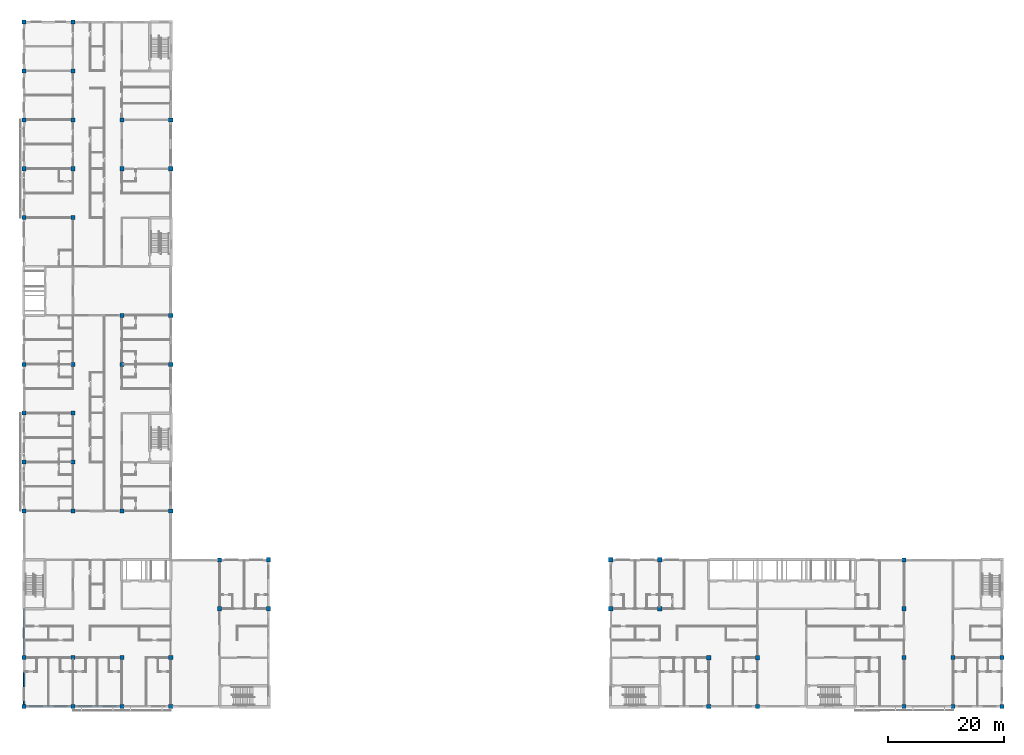
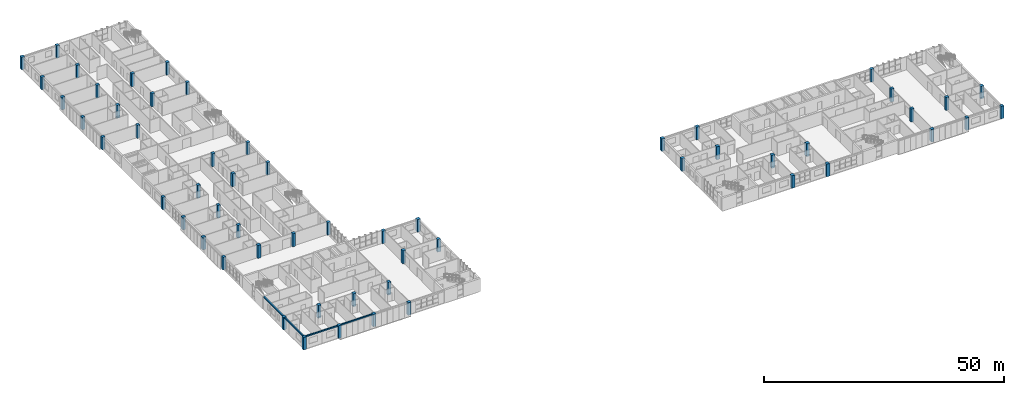
# One storey, part 1 of 48: 56 columns, 4 beams.
"""IFC4 building model written with IfcOpenShell, lengths in metres."""

from ifc_helpers import new_model, si_unit, direction, frame, origin, origin_2d, place, context, subcontext, project, spatial, rectangle, extrude, material, material_profile, profile_set, type_object, element, save


model = new_model("IFC4")

# Units and contexts
model_context = context("Model", 3, precision=1e-05, world=origin(), true_north=direction((0.0, 1.0)))
body_context = subcontext(model_context, "Body", "Model", "MODEL_VIEW")
ifc_project = project(units=[si_unit("LENGTHUNIT", "METRE"), si_unit("AREAUNIT", "SQUARE_METRE"), si_unit("VOLUMEUNIT", "CUBIC_METRE"), si_unit("PLANEANGLEUNIT", "RADIAN"), si_unit("MASSUNIT", "GRAM", prefix="KILO")], contexts=[model_context])

# Site, building, storey
site_placement = place(None, origin())
site = spatial("IfcSite", under=ifc_project, at=site_placement, CompositionType="ELEMENT")
building_placement = place(site_placement, origin())
building = spatial("IfcBuilding", under=site, at=building_placement, Name="Yavir Park General Hospital", CompositionType="ELEMENT")
storey_placement = place(building_placement, frame((0.0, 0.0, 26.10009765625)))
storey = spatial("IfcBuildingStorey", under=building, at=storey_placement, Name="L06", CompositionType="ELEMENT", Elevation=26.10009765625)

# Columns
ifc_material_1 = material(Name="Concrete C40/50", Category="concrete")
ifc_material_profile_1 = material_profile(ifc_material_1, rectangle(XDim=0.699951171875, YDim=0.699951171875, at=origin_2d()), Name="RC700x700")
ifc_profile_set_1 = profile_set([ifc_material_profile_1], Name="Concrete C40/50")
column_type_1 = type_object("IfcColumnType", Name="RC COLUMN 700x700", PredefinedType="COLUMN", material=ifc_profile_set_1)
for number, where, z_axis, x_axis, name in (
    (1, (0.0, 0.0, 0.0), (0.0, 0.0, 1.0), (1.0, 0.0, 0.0), "C:L06:1A"),
    (2, (8.39990234375, 0.0, 0.0), (0.0, 0.0, 1.0), (1.0, 0.0, 0.0), "C:L06:2A"),
    (3, (16.800048828125, 0.0, 0.0), (0.0, 0.0, 1.0), (1.0, 0.0, 0.0), "C:L06:3A"),
    (4, (25.199951171875, 0.0, 0.0), (0.0, 0.0, 1.0), (1.0, 0.0, 0.0), "C:L06:4A"),
    (5, (151.199951171875, 0.0, 0.0), (0.0, 0.0, 1.0), (1.0, 0.0, 0.0), "C:L06:19A"),
    (6, (159.60009765625, 0.0, 0.0), (0.0, 0.0, 1.0), (1.0, 0.0, 0.0), "C:L06:20A"),
    (7, (168.0, 0.0, 0.0), (0.0, 0.0, 1.0), (1.0, 0.0, 0.0), "C:L06:21A"),
    (8, (0.0, 8.39990234375, 0.0), (0.0, 0.0, 1.0), (1.0, 0.0, 0.0), "C:L06:1B"),
):
    element("IfcColumn", number, at=place(storey_placement, frame(where, z_axis=z_axis, x_axis=x_axis)), inside=storey, type_object=column_type_1, Name=name, PredefinedType="COLUMN", context=body_context, shape_type="SweptSolid", body=[
        extrude(rectangle(XDim=0.699951171875, YDim=0.699951171875, at=origin_2d()), origin(), (0.0, 0.0, 1.0), 3.199951171875),
    ])
for number, where, z_axis, x_axis, name in (
    (9, (8.39990234375, 8.39990234375, 0.0), (0.0, 0.0, 1.0), (1.0, 0.0, 0.0), "C:L06:2B"),
    (10, (16.800048828125, 8.39990234375, 0.0), (0.0, 0.0, 1.0), (1.0, 0.0, 0.0), "C:L06:3B"),
    (11, (25.199951171875, 8.39990234375, 0.0), (0.0, 0.0, 1.0), (1.0, 0.0, 0.0), "C:L06:4B"),
    (12, (151.199951171875, 8.39990234375, 0.0), (0.0, 0.0, 1.0), (1.0, 0.0, 0.0), "C:L06:19B"),
    (13, (159.60009765625, 8.39990234375, 0.0), (0.0, 0.0, 1.0), (1.0, 0.0, 0.0), "C:L06:20B"),
):
    element("IfcColumn", number, at=place(storey_placement, frame(where, z_axis=z_axis, x_axis=x_axis)), inside=storey, type_object=column_type_1, Name=name, PredefinedType="COLUMN", context=body_context, shape_type="SweptSolid", body=[
        extrude(rectangle(XDim=0.699951171875, YDim=0.699951171875, at=origin_2d()), origin(), (0.0, 0.0, 1.0), 3.2998046875),
    ])
column_1_placement = place(storey_placement, frame((168.0, 8.39990234375, 0.0), z_axis=(0.0, 0.0, 1.0), x_axis=(1.0, 0.0, 0.0)))
element("IfcColumn", 14, at=column_1_placement, inside=storey, type_object=column_type_1, Name="C:L06:21B", PredefinedType="COLUMN", context=body_context, shape_type="SweptSolid", body=[
    extrude(rectangle(XDim=0.699951171875, YDim=0.699951171875, at=origin_2d()), origin(), (0.0, 0.0, 1.0), 3.199951171875),
])
for number, where, z_axis, x_axis, name in (
    (15, (33.60009765625, 16.800048828125, 0.0), (0.0, 0.0, 1.0), (1.0, 0.0, 0.0), "C:L06:5C"),
    (16, (151.199951171875, 16.800048828125, 0.0), (0.0, 0.0, 1.0), (1.0, 0.0, 0.0), "C:L06:19C"),
):
    element("IfcColumn", number, at=place(storey_placement, frame(where, z_axis=z_axis, x_axis=x_axis)), inside=storey, type_object=column_type_1, Name=name, PredefinedType="COLUMN", context=body_context, shape_type="SweptSolid", body=[
        extrude(rectangle(XDim=0.699951171875, YDim=0.699951171875, at=origin_2d()), origin(), (0.0, 0.0, 1.0), 3.2998046875),
    ])
for number, where, z_axis, x_axis, name in (
    (17, (33.60009765625, 25.199951171875, 0.0), (0.0, 0.0, 1.0), (1.0, 0.0, 0.0), "C:L06:5D"),
    (18, (151.199951171875, 25.199951171875, 0.0), (0.0, 0.0, 1.0), (1.0, 0.0, 0.0), "C:L06:19D"),
    (19, (0.0, 33.60009765625, 0.0), (0.0, 0.0, 1.0), (1.0, 0.0, 0.0), "C:L06:1E"),
):
    element("IfcColumn", number, at=place(storey_placement, frame(where, z_axis=z_axis, x_axis=x_axis)), inside=storey, type_object=column_type_1, Name=name, PredefinedType="COLUMN", context=body_context, shape_type="SweptSolid", body=[
        extrude(rectangle(XDim=0.699951171875, YDim=0.699951171875, at=origin_2d()), origin(), (0.0, 0.0, 1.0), 3.199951171875),
    ])
for number, where, z_axis, x_axis, name in (
    (20, (8.39990234375, 33.60009765625, 0.0), (0.0, 0.0, 1.0), (1.0, 0.0, 0.0), "C:L06:2E"),
    (21, (16.800048828125, 33.60009765625, 0.0), (0.0, 0.0, 1.0), (1.0, 0.0, 0.0), "C:L06:3E"),
):
    element("IfcColumn", number, at=place(storey_placement, frame(where, z_axis=z_axis, x_axis=x_axis)), inside=storey, type_object=column_type_1, Name=name, PredefinedType="COLUMN", context=body_context, shape_type="SweptSolid", body=[
        extrude(rectangle(XDim=0.699951171875, YDim=0.699951171875, at=origin_2d()), origin(), (0.0, 0.0, 1.0), 3.2998046875),
    ])
for number, where, z_axis, x_axis, name in (
    (22, (25.199951171875, 33.60009765625, 0.0), (0.0, 0.0, 1.0), (1.0, 0.0, 0.0), "C:L06:4E"),
    (23, (0.0, 42.0, 0.0), (0.0, 0.0, 1.0), (1.0, 0.0, 0.0), "C:L06:1F"),
):
    element("IfcColumn", number, at=place(storey_placement, frame(where, z_axis=z_axis, x_axis=x_axis)), inside=storey, type_object=column_type_1, Name=name, PredefinedType="COLUMN", context=body_context, shape_type="SweptSolid", body=[
        extrude(rectangle(XDim=0.699951171875, YDim=0.699951171875, at=origin_2d()), origin(), (0.0, 0.0, 1.0), 3.199951171875),
    ])
column_2_placement = place(storey_placement, frame((8.39990234375, 42.0, 0.0), z_axis=(0.0, 0.0, 1.0), x_axis=(1.0, 0.0, 0.0)))
element("IfcColumn", 24, at=column_2_placement, inside=storey, type_object=column_type_1, Name="C:L06:2F", PredefinedType="COLUMN", context=body_context, shape_type="SweptSolid", body=[
    extrude(rectangle(XDim=0.699951171875, YDim=0.699951171875, at=origin_2d()), origin(), (0.0, 0.0, 1.0), 3.2998046875),
])
column_3_placement = place(storey_placement, frame((0.0, 50.39990234375, 0.0), z_axis=(0.0, 0.0, 1.0), x_axis=(1.0, 0.0, 0.0)))
element("IfcColumn", 25, at=column_3_placement, inside=storey, type_object=column_type_1, Name="C:L06:1G", PredefinedType="COLUMN", context=body_context, shape_type="SweptSolid", body=[
    extrude(rectangle(XDim=0.699951171875, YDim=0.699951171875, at=origin_2d()), origin(), (0.0, 0.0, 1.0), 3.199951171875),
])
column_4_placement = place(storey_placement, frame((8.39990234375, 50.39990234375, 0.0), z_axis=(0.0, 0.0, 1.0), x_axis=(1.0, 0.0, 0.0)))
element("IfcColumn", 26, at=column_4_placement, inside=storey, type_object=column_type_1, Name="C:L06:2G", PredefinedType="COLUMN", context=body_context, shape_type="SweptSolid", body=[
    extrude(rectangle(XDim=0.699951171875, YDim=0.699951171875, at=origin_2d()), origin(), (0.0, 0.0, 1.0), 3.2998046875),
])
column_5_placement = place(storey_placement, frame((0.0, 58.800048828125, 0.0), z_axis=(0.0, 0.0, 1.0), x_axis=(1.0, 0.0, 0.0)))
element("IfcColumn", 27, at=column_5_placement, inside=storey, type_object=column_type_1, Name="C:L06:1H", PredefinedType="COLUMN", context=body_context, shape_type="SweptSolid", body=[
    extrude(rectangle(XDim=0.699951171875, YDim=0.699951171875, at=origin_2d()), origin(), (0.0, 0.0, 1.0), 3.199951171875),
])
for number, where, z_axis, x_axis, name in (
    (28, (8.39990234375, 58.800048828125, 0.0), (0.0, 0.0, 1.0), (1.0, 0.0, 0.0), "C:L06:2H"),
    (29, (16.800048828125, 58.800048828125, 0.0), (0.0, 0.0, 1.0), (1.0, 0.0, 0.0), "C:L06:3H"),
):
    element("IfcColumn", number, at=place(storey_placement, frame(where, z_axis=z_axis, x_axis=x_axis)), inside=storey, type_object=column_type_1, Name=name, PredefinedType="COLUMN", context=body_context, shape_type="SweptSolid", body=[
        extrude(rectangle(XDim=0.699951171875, YDim=0.699951171875, at=origin_2d()), origin(), (0.0, 0.0, 1.0), 3.2998046875),
    ])
column_6_placement = place(storey_placement, frame((25.199951171875, 58.800048828125, 0.0), z_axis=(0.0, 0.0, 1.0), x_axis=(1.0, 0.0, 0.0)))
element("IfcColumn", 30, at=column_6_placement, inside=storey, type_object=column_type_1, Name="C:L06:4H", PredefinedType="COLUMN", context=body_context, shape_type="SweptSolid", body=[
    extrude(rectangle(XDim=0.699951171875, YDim=0.699951171875, at=origin_2d()), origin(), (0.0, 0.0, 1.0), 3.199951171875),
])
column_7_placement = place(storey_placement, frame((16.800048828125, 67.199951171875, 0.0), z_axis=(0.0, 0.0, 1.0), x_axis=(1.0, 0.0, 0.0)))
element("IfcColumn", 31, at=column_7_placement, inside=storey, type_object=column_type_1, Name="C:L06:3J", PredefinedType="COLUMN", context=body_context, shape_type="SweptSolid", body=[
    extrude(rectangle(XDim=0.699951171875, YDim=0.699951171875, at=origin_2d()), origin(), (0.0, 0.0, 1.0), 3.2998046875),
])
for number, where, z_axis, x_axis, name in (
    (32, (25.199951171875, 67.199951171875, 0.0), (0.0, 0.0, 1.0), (1.0, 0.0, 0.0), "C:L06:4J"),
    (33, (0.0, 84.0, 0.0), (0.0, 0.0, 1.0), (1.0, 0.0, 0.0), "C:L06:1L"),
):
    element("IfcColumn", number, at=place(storey_placement, frame(where, z_axis=z_axis, x_axis=x_axis)), inside=storey, type_object=column_type_1, Name=name, PredefinedType="COLUMN", context=body_context, shape_type="SweptSolid", body=[
        extrude(rectangle(XDim=0.699951171875, YDim=0.699951171875, at=origin_2d()), origin(), (0.0, 0.0, 1.0), 3.199951171875),
    ])
column_8_placement = place(storey_placement, frame((8.39990234375, 84.0, 0.0), z_axis=(0.0, 0.0, 1.0), x_axis=(1.0, 0.0, 0.0)))
element("IfcColumn", 34, at=column_8_placement, inside=storey, type_object=column_type_1, Name="C:L06:2L", PredefinedType="COLUMN", context=body_context, shape_type="SweptSolid", body=[
    extrude(rectangle(XDim=0.699951171875, YDim=0.699951171875, at=origin_2d()), origin(), (0.0, 0.0, 1.0), 3.2998046875),
])
column_9_placement = place(storey_placement, frame((0.0, 92.39990234375, 0.0), z_axis=(0.0, 0.0, 1.0), x_axis=(1.0, 0.0, 0.0)))
element("IfcColumn", 35, at=column_9_placement, inside=storey, type_object=column_type_1, Name="C:L06:1M", PredefinedType="COLUMN", context=body_context, shape_type="SweptSolid", body=[
    extrude(rectangle(XDim=0.699951171875, YDim=0.699951171875, at=origin_2d()), origin(), (0.0, 0.0, 1.0), 3.199951171875),
])
for number, where, z_axis, x_axis, name in (
    (36, (8.39990234375, 92.39990234375, 0.0), (0.0, 0.0, 1.0), (1.0, 0.0, 0.0), "C:L06:2M"),
    (37, (16.800048828125, 92.39990234375, 0.0), (0.0, 0.0, 1.0), (1.0, 0.0, 0.0), "C:L06:3M"),
):
    element("IfcColumn", number, at=place(storey_placement, frame(where, z_axis=z_axis, x_axis=x_axis)), inside=storey, type_object=column_type_1, Name=name, PredefinedType="COLUMN", context=body_context, shape_type="SweptSolid", body=[
        extrude(rectangle(XDim=0.699951171875, YDim=0.699951171875, at=origin_2d()), origin(), (0.0, 0.0, 1.0), 3.2998046875),
    ])
for number, where, z_axis, x_axis, name in (
    (38, (25.199951171875, 92.39990234375, 0.0), (0.0, 0.0, 1.0), (1.0, 0.0, 0.0), "C:L06:4M"),
    (39, (0.0, 100.800048828125, 0.0), (0.0, 0.0, 1.0), (1.0, 0.0, 0.0), "C:L06:1N"),
):
    element("IfcColumn", number, at=place(storey_placement, frame(where, z_axis=z_axis, x_axis=x_axis)), inside=storey, type_object=column_type_1, Name=name, PredefinedType="COLUMN", context=body_context, shape_type="SweptSolid", body=[
        extrude(rectangle(XDim=0.699951171875, YDim=0.699951171875, at=origin_2d()), origin(), (0.0, 0.0, 1.0), 3.199951171875),
    ])
for number, where, z_axis, x_axis, name in (
    (40, (8.39990234375, 100.800048828125, 0.0), (0.0, 0.0, 1.0), (1.0, 0.0, 0.0), "C:L06:2N"),
    (41, (16.800048828125, 100.800048828125, 0.0), (0.0, 0.0, 1.0), (1.0, 0.0, 0.0), "C:L06:3N"),
):
    element("IfcColumn", number, at=place(storey_placement, frame(where, z_axis=z_axis, x_axis=x_axis)), inside=storey, type_object=column_type_1, Name=name, PredefinedType="COLUMN", context=body_context, shape_type="SweptSolid", body=[
        extrude(rectangle(XDim=0.699951171875, YDim=0.699951171875, at=origin_2d()), origin(), (0.0, 0.0, 1.0), 3.2998046875),
    ])
for number, where, z_axis, x_axis, name in (
    (42, (25.199951171875, 100.800048828125, 0.0), (0.0, 0.0, 1.0), (1.0, 0.0, 0.0), "C:L06:4N"),
    (43, (0.0, 109.199951171875, 0.0), (0.0, 0.0, 1.0), (1.0, 0.0, 0.0), "C:L06:1P"),
):
    element("IfcColumn", number, at=place(storey_placement, frame(where, z_axis=z_axis, x_axis=x_axis)), inside=storey, type_object=column_type_1, Name=name, PredefinedType="COLUMN", context=body_context, shape_type="SweptSolid", body=[
        extrude(rectangle(XDim=0.699951171875, YDim=0.699951171875, at=origin_2d()), origin(), (0.0, 0.0, 1.0), 3.199951171875),
    ])
column_10_placement = place(storey_placement, frame((8.39990234375, 109.199951171875, 0.0), z_axis=(0.0, 0.0, 1.0), x_axis=(1.0, 0.0, 0.0)))
element("IfcColumn", 44, at=column_10_placement, inside=storey, type_object=column_type_1, Name="C:L06:2P", PredefinedType="COLUMN", context=body_context, shape_type="SweptSolid", body=[
    extrude(rectangle(XDim=0.699951171875, YDim=0.699951171875, at=origin_2d()), origin(), (0.0, 0.0, 1.0), 3.2998046875),
])
for number, where, z_axis, x_axis, name in (
    (45, (0.0, 117.60009765625, 0.0), (0.0, 0.0, 1.0), (1.0, 0.0, 0.0), "C:L06:1Q"),
    (46, (8.39990234375, 117.60009765625, 0.0), (0.0, 0.0, 1.0), (1.0, 0.0, 0.0), "C:L06:2Q"),
):
    element("IfcColumn", number, at=place(storey_placement, frame(where, z_axis=z_axis, x_axis=x_axis)), inside=storey, type_object=column_type_1, Name=name, PredefinedType="COLUMN", context=body_context, shape_type="SweptSolid", body=[
        extrude(rectangle(XDim=0.699951171875, YDim=0.699951171875, at=origin_2d()), origin(), (0.0, 0.0, 1.0), 3.199951171875),
    ])
ifc_material_2 = material(Name="Concrete C40/50", Category="concrete")
ifc_material_profile_2 = material_profile(ifc_material_2, rectangle(XDim=0.75, YDim=0.75, at=origin_2d()), Name="RC750x750")
ifc_profile_set_2 = profile_set([ifc_material_profile_2], Name="Concrete C40/50")
column_type_2 = type_object("IfcColumnType", Name="RC COLUMN 750x750", PredefinedType="COLUMN", material=ifc_profile_set_2)
for number, where, z_axis, x_axis, name in (
    (47, (117.60009765625, 0.0, 0.0), (0.0, 0.0, 1.0), (1.0, 0.0, 0.0), "C:L06:15A"),
    (48, (126.0, 0.0, 0.0), (0.0, 0.0, 1.0), (1.0, 0.0, 0.0), "C:L06:16A"),
):
    element("IfcColumn", number, at=place(storey_placement, frame(where, z_axis=z_axis, x_axis=x_axis)), inside=storey, type_object=column_type_2, Name=name, PredefinedType="COLUMN", context=body_context, shape_type="SweptSolid", body=[
        extrude(rectangle(XDim=0.75, YDim=0.75, at=origin_2d()), origin(), (0.0, 0.0, 1.0), 3.199951171875),
    ])
for number, where, z_axis, x_axis, name in (
    (49, (117.60009765625, 8.39990234375, 0.0), (0.0, 0.0, 1.0), (1.0, 0.0, 0.0), "C:L06:15B"),
    (50, (126.0, 8.39990234375, 0.0), (0.0, 0.0, 1.0), (1.0, 0.0, 0.0), "C:L06:16B"),
):
    element("IfcColumn", number, at=place(storey_placement, frame(where, z_axis=z_axis, x_axis=x_axis)), inside=storey, type_object=column_type_2, Name=name, PredefinedType="COLUMN", context=body_context, shape_type="SweptSolid", body=[
        extrude(rectangle(XDim=0.75, YDim=0.75, at=origin_2d()), origin(), (0.0, 0.0, 1.0), 3.2998046875),
    ])
for number, where, z_axis, x_axis, name in (
    (51, (42.0, 16.800048828125, 0.0), (0.0, 0.0, 1.0), (1.0, 0.0, 0.0), "C:L06:6C"),
    (52, (100.800048828125, 16.800048828125, 0.0), (0.0, 0.0, 1.0), (1.0, 0.0, 0.0), "C:L06:13C"),
):
    element("IfcColumn", number, at=place(storey_placement, frame(where, z_axis=z_axis, x_axis=x_axis)), inside=storey, type_object=column_type_2, Name=name, PredefinedType="COLUMN", context=body_context, shape_type="SweptSolid", body=[
        extrude(rectangle(XDim=0.75, YDim=0.75, at=origin_2d()), origin(), (0.0, 0.0, 1.0), 3.199951171875),
    ])
column_11_placement = place(storey_placement, frame((109.199951171875, 16.800048828125, 0.0), z_axis=(0.0, 0.0, 1.0), x_axis=(1.0, 0.0, 0.0)))
element("IfcColumn", 53, at=column_11_placement, inside=storey, type_object=column_type_2, Name="C:L06:14C", PredefinedType="COLUMN", context=body_context, shape_type="SweptSolid", body=[
    extrude(rectangle(XDim=0.75, YDim=0.75, at=origin_2d()), origin(), (0.0, 0.0, 1.0), 3.2998046875),
])
for number, where, z_axis, x_axis, name in (
    (54, (42.0, 25.199951171875, 0.0), (0.0, 0.0, 1.0), (1.0, 0.0, 0.0), "C:L06:6D"),
    (55, (100.800048828125, 25.199951171875, 0.0), (0.0, 0.0, 1.0), (1.0, 0.0, 0.0), "C:L06:13D"),
    (56, (109.199951171875, 25.199951171875, 0.0), (0.0, 0.0, 1.0), (1.0, 0.0, 0.0), "C:L06:14D"),
):
    element("IfcColumn", number, at=place(storey_placement, frame(where, z_axis=z_axis, x_axis=x_axis)), inside=storey, type_object=column_type_2, Name=name, PredefinedType="COLUMN", context=body_context, shape_type="SweptSolid", body=[
        extrude(rectangle(XDim=0.75, YDim=0.75, at=origin_2d()), origin(), (0.0, 0.0, 1.0), 3.199951171875),
    ])

# Beams
ifc_material_3 = material(Name="Concrete C35/45", Category="concrete")
ifc_material_profile_3 = material_profile(ifc_material_3, rectangle(XDim=0.300048828125, YDim=0.300048828125, at=origin_2d()), Name="RC300x300")
ifc_profile_set_3 = profile_set([ifc_material_profile_3], Name="Concrete C35/45")
beam_type = type_object("IfcBeamType", Name="RC BEAM 300x300 edge beam", PredefinedType="BEAM", material=ifc_profile_set_3)
for number, where, z_axis, x_axis, name in (
    (57, (0.35009765625, 0.0, 3.0498046875), (1.0, 0.0, 0.0), (0.0, 1.0, 0.0), "B:EDGE:L06:001"),
    (58, (8.75, 0.0, 3.0498046875), (1.0, 0.0, 0.0), (0.0, 1.0, 0.0), "B:EDGE:L06:002"),
    (59, (0.0, 0.35009765625, 3.0498046875), (0.0, 1.0, 0.0), (-1.0, 0.0, 0.0), "B:EDGE:L06:016"),
):
    element("IfcBeam", number, at=place(storey_placement, frame(where, z_axis=z_axis, x_axis=x_axis)), inside=storey, type_object=beam_type, Name=name, PredefinedType="BEAM", context=body_context, shape_type="SweptSolid", body=[
        extrude(rectangle(XDim=0.300048828125, YDim=0.300048828125, at=origin_2d()), origin(), (0.0, 0.0, 1.0), 7.699951171875),
    ])
beam_placement = place(storey_placement, frame((0.0, 8.75, 3.0498046875), z_axis=(0.0, 1.0, 0.0), x_axis=(-1.0, 0.0, 0.0)))
element("IfcBeam", 60, at=beam_placement, inside=storey, type_object=beam_type, Name="B:EDGE:L06:017", PredefinedType="BEAM", context=body_context, shape_type="SweptSolid", body=[
    extrude(rectangle(XDim=0.300048828125, YDim=0.300048828125, at=origin_2d()), origin(), (0.0, 0.0, 1.0), 8.050048828125),
])

save(model, "model.ifc")
